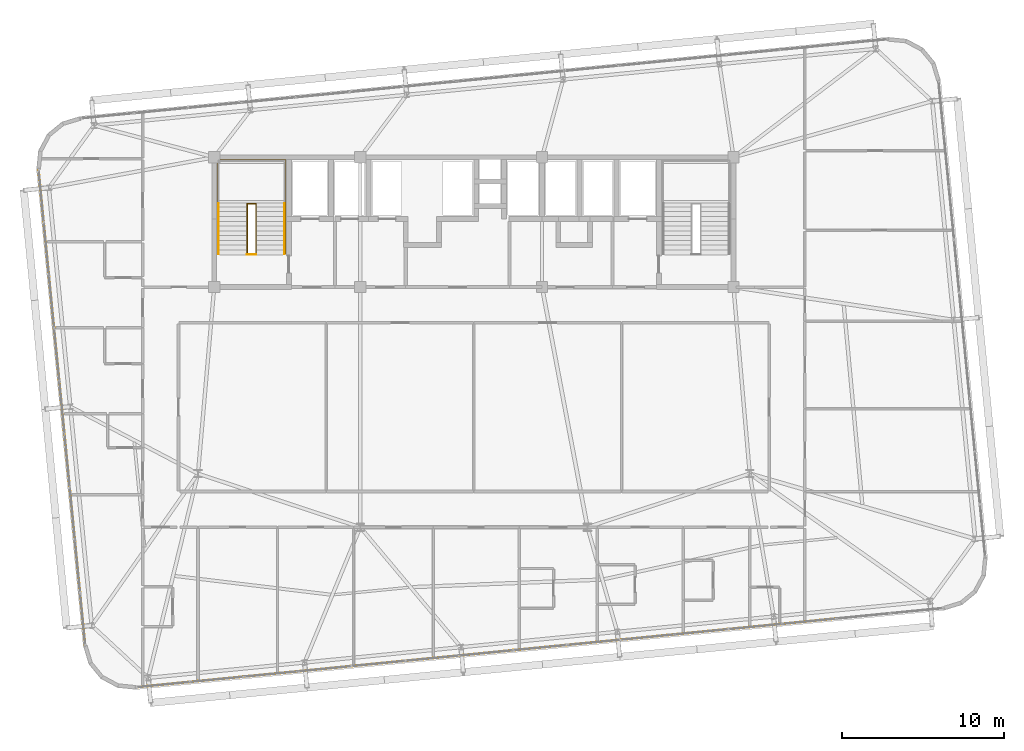
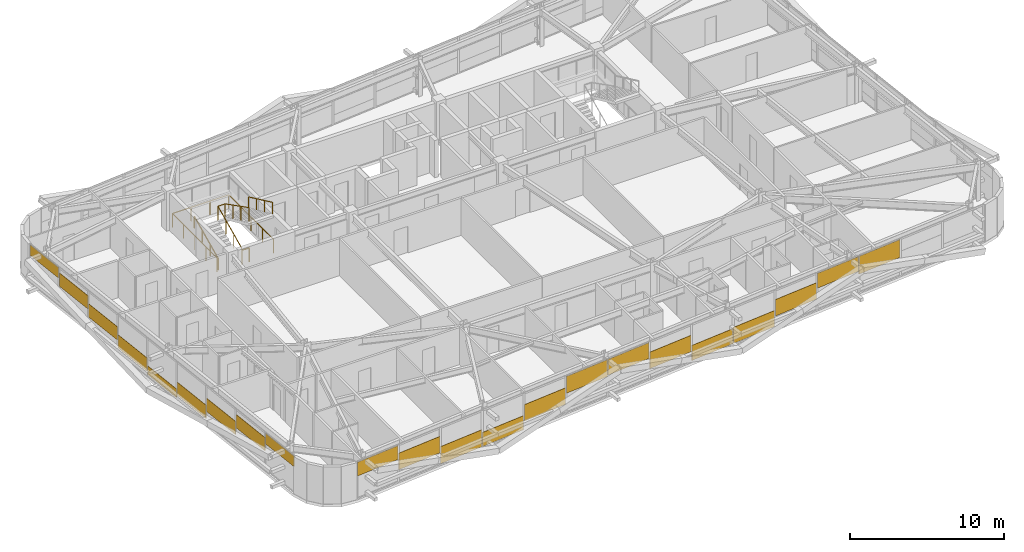
# One storey, part 51 of 53: 22 coverings, 5 railings.
"""IFC4 building model written with IfcOpenShell, lengths in metres."""

from ifc_helpers import new_model, si_unit, direction, frame, origin, origin_2d, place, context, subcontext, project, spatial, rectangle, extrude, source, transform, mapped, material, layer, layer_set, type_object, element, save


model = new_model("IFC4")

# Units and contexts
model_context = context("Model", 3, precision=1e-05, world=origin(), true_north=direction((0.0, 1.0)))
body_context = subcontext(model_context, "Body", "Model", "MODEL_VIEW")
ifc_project = project(units=[si_unit("LENGTHUNIT", "METRE"), si_unit("AREAUNIT", "SQUARE_METRE"), si_unit("VOLUMEUNIT", "CUBIC_METRE"), si_unit("PLANEANGLEUNIT", "RADIAN"), si_unit("MASSUNIT", "GRAM", prefix="KILO")], contexts=[model_context])

# Site, building, storey
site_placement = place(None, origin())
site = spatial("IfcSite", under=ifc_project, at=site_placement, CompositionType="ELEMENT")
building_placement = place(site_placement, origin())
building = spatial("IfcBuilding", under=site, at=building_placement, Name="Taldren Reach Tower", CompositionType="ELEMENT")
storey_placement = place(building_placement, frame((0.0, 0.0, 71.39990234375)))
storey = spatial("IfcBuildingStorey", under=building, at=storey_placement, Name="L21", CompositionType="ELEMENT", Elevation=71.39990234375)

# Railings
ifc_material_1 = material(Name="Steel Gr 350 (C350L0)", Category="steel")
ifc_layer_1 = layer(ifc_material_1, 0.050048828125)
ifc_layer_set_1 = layer_set([ifc_layer_1], Name="Steel Gr 350 (C350L0)")
railing_type_1 = type_object("IfcRailingType", Name="RL-STAIR-GR", PredefinedType="GUARDRAIL", material=ifc_layer_set_1)
railing_1_placement = place(storey_placement, frame((21.030029296875, 26.050048828125, 0.13134765625)))
element("IfcRailing", 1, at=railing_1_placement, inside=storey, type_object=railing_type_1, Name="Stairwell inner guard ST1-L21", PredefinedType="GUARDRAIL", context=body_context, shape_type="SweptSolid", body=[
    extrude(rectangle(XDim=0.047852, YDim=0.047852, at=origin_2d()), frame((0.0, 0.0, 1.09619140625), z_axis=(0.0, 0.905710134349, 0.423897573167), x_axis=(-1.0, 0.0, 0.0)), (0.0, 0.0, 1.0), 3.406005859375),
    extrude(rectangle(XDim=0.047852, YDim=0.047852, at=origin_2d()), frame((0.0, 3.0849609375, 2.5400390625), z_axis=(1.0, 0.0, 0.0), x_axis=(0.0, 1.0, 0.0)), (0.0, 0.0, 1.0), 0.5400390625),
    extrude(rectangle(XDim=0.047852, YDim=0.047852, at=origin_2d()), frame((0.5400390625, 3.0849609375, 2.5400390625), z_axis=(0.0, -0.890645957773, 0.45469745755), x_axis=(1.0, 0.0, 0.0)), (0.0, 0.0, 1.0), 3.463623046875),
    extrude(rectangle(XDim=0.041992, YDim=0.041992, at=origin_2d()), origin(), (0.0, 0.0, 1.0), 1.072021484375),
    extrude(rectangle(XDim=0.041992, YDim=0.041992, at=origin_2d()), frame((0.0, 1.0283203125, 0.481201171875)), (0.0, 0.0, 1.0), 1.072021484375),
    extrude(rectangle(XDim=0.041992, YDim=0.041992, at=origin_2d()), frame((0.0, 2.056640625, 0.962646484375)), (0.0, 0.0, 1.0), 1.072021484375),
    extrude(rectangle(XDim=0.041992, YDim=0.041992, at=origin_2d()), frame((0.0, 3.0849609375, 1.44384765625)), (0.0, 0.0, 1.0), 1.072021484375),
    extrude(rectangle(XDim=0.041992, YDim=0.041992, at=origin_2d()), frame((0.5400390625, 3.0849609375, 1.44384765625)), (0.0, 0.0, 1.0), 1.072021484375),
    extrude(rectangle(XDim=0.041992, YDim=0.041992, at=origin_2d()), frame((0.5400390625, 2.056640625, 1.96875)), (0.0, 0.0, 1.0), 1.072021484375),
    extrude(rectangle(XDim=0.041992, YDim=0.041992, at=origin_2d()), frame((0.5400390625, 1.0283203125, 2.493896484375)), (0.0, 0.0, 1.0), 1.072021484375),
    extrude(rectangle(XDim=0.041992, YDim=0.041992, at=origin_2d()), frame((0.5400390625, 0.0, 3.018798828125)), (0.0, 0.0, 1.0), 1.072021484375),
])
railing_2_placement = place(storey_placement, frame((21.030029296875, 26.010009765625, 0.0)))
element("IfcRailing", 2, at=railing_2_placement, inside=storey, type_object=railing_type_1, Name="Stairwell landing slot guard ST1-L21", PredefinedType="GUARDRAIL", context=body_context, shape_type="SweptSolid", body=[
    extrude(rectangle(XDim=0.047852, YDim=0.047852, at=origin_2d()), frame((0.0, 0.0, 1.09619140625), z_axis=(1.0, 0.0, 0.0), x_axis=(0.0, 1.0, 0.0)), (0.0, 0.0, 1.0), 0.5400390625),
    extrude(rectangle(XDim=0.041992, YDim=0.041992, at=origin_2d()), origin(), (0.0, 0.0, 1.0), 1.072021484375),
    extrude(rectangle(XDim=0.041992, YDim=0.041992, at=origin_2d()), frame((0.5400390625, 0.0, 0.0)), (0.0, 0.0, 1.0), 1.072021484375),
])
railing_3_placement = place(storey_placement, frame((19.18994140625, 26.050048828125, 0.0)))
element("IfcRailing", 3, at=railing_3_placement, inside=storey, type_object=railing_type_1, Name="Stairwell floor opening guard ST1-L21", PredefinedType="GUARDRAIL", context=body_context, shape_type="SweptSolid", body=[
    extrude(rectangle(XDim=0.047852, YDim=0.047852, at=origin_2d()), frame((0.0, 0.0, 1.09619140625), z_axis=(0.0, 1.0, 0.0), x_axis=(-1.0, 0.0, 0.0)), (0.0, 0.0, 1.0), 5.800048828125),
    extrude(rectangle(XDim=0.047852, YDim=0.047852, at=origin_2d()), frame((0.0, 5.800048828125, 1.09619140625), z_axis=(1.0, 0.0, 0.0), x_axis=(0.0, 1.0, 0.0)), (0.0, 0.0, 1.0), 4.219970703125),
    extrude(rectangle(XDim=0.047852, YDim=0.047852, at=origin_2d()), frame((4.219970703125, 5.800048828125, 1.09619140625), z_axis=(0.0, -1.0, 0.0), x_axis=(1.0, 0.0, 0.0)), (0.0, 0.0, 1.0), 5.800048828125),
    extrude(rectangle(XDim=0.041992, YDim=0.041992, at=origin_2d()), origin(), (0.0, 0.0, 1.0), 1.072021484375),
    extrude(rectangle(XDim=0.041992, YDim=0.041992, at=origin_2d()), frame((0.0, 1.449951171875, 0.0)), (0.0, 0.0, 1.0), 1.072021484375),
    extrude(rectangle(XDim=0.041992, YDim=0.041992, at=origin_2d()), frame((0.0, 2.89990234375, 0.0)), (0.0, 0.0, 1.0), 1.072021484375),
    extrude(rectangle(XDim=0.041992, YDim=0.041992, at=origin_2d()), frame((0.0, 4.35009765625, 0.0)), (0.0, 0.0, 1.0), 1.072021484375),
    extrude(rectangle(XDim=0.041992, YDim=0.041992, at=origin_2d()), frame((0.0, 5.800048828125, 0.0)), (0.0, 0.0, 1.0), 1.072021484375),
    extrude(rectangle(XDim=0.041992, YDim=0.041992, at=origin_2d()), frame((1.40673828125, 5.800048828125, 0.0)), (0.0, 0.0, 1.0), 1.072021484375),
    extrude(rectangle(XDim=0.041992, YDim=0.041992, at=origin_2d()), frame((2.813232421875, 5.800048828125, 0.0)), (0.0, 0.0, 1.0), 1.072021484375),
    extrude(rectangle(XDim=0.041992, YDim=0.041992, at=origin_2d()), frame((4.219970703125, 5.800048828125, 0.0)), (0.0, 0.0, 1.0), 1.072021484375),
    extrude(rectangle(XDim=0.041992, YDim=0.041992, at=origin_2d()), frame((4.219970703125, 4.35009765625, 0.0)), (0.0, 0.0, 1.0), 1.072021484375),
    extrude(rectangle(XDim=0.041992, YDim=0.041992, at=origin_2d()), frame((4.219970703125, 2.89990234375, 0.0)), (0.0, 0.0, 1.0), 1.072021484375),
    extrude(rectangle(XDim=0.041992, YDim=0.041992, at=origin_2d()), frame((4.219970703125, 1.449951171875, 0.0)), (0.0, 0.0, 1.0), 1.072021484375),
    extrude(rectangle(XDim=0.041992, YDim=0.041992, at=origin_2d()), frame((4.219970703125, 0.0, 0.0)), (0.0, 0.0, 1.0), 1.072021484375),
])
ifc_material_2 = material(Name="Stainless Steel Gr 316", Category="steel")
ifc_layer_2 = layer(ifc_material_2, 0.048095703125)
ifc_layer_set_2 = layer_set([ifc_layer_2], Name="Stainless Steel Gr 316")
railing_type_2 = type_object("IfcRailingType", Name="RL-STAIR-HR", PredefinedType="HANDRAIL", material=ifc_layer_set_2)
railing_4_placement = place(storey_placement, frame((19.27001953125, 26.050048828125, 0.13134765625)))
element("IfcRailing", 4, at=railing_4_placement, inside=storey, type_object=railing_type_2, Name="Stair flight handrail ST1-L21-1", PredefinedType="HANDRAIL", context=body_context, shape_type="SweptSolid", body=[
    extrude(rectangle(XDim=0.047852, YDim=0.047852, at=origin_2d()), frame((0.0, 0.0, 0.89599609375), z_axis=(0.0, 0.905710134349, 0.423897573167), x_axis=(-1.0, 0.0, 0.0)), (0.0, 0.0, 1.0), 3.406005859375),
    extrude(rectangle(XDim=0.041992, YDim=0.041992, at=origin_2d()), origin(), (0.0, 0.0, 1.0), 0.871826171875),
    extrude(rectangle(XDim=0.041992, YDim=0.041992, at=origin_2d()), frame((0.0, 1.0283203125, 0.481201171875)), (0.0, 0.0, 1.0), 0.871826171875),
    extrude(rectangle(XDim=0.041992, YDim=0.041992, at=origin_2d()), frame((0.0, 2.056640625, 0.962646484375)), (0.0, 0.0, 1.0), 0.871826171875),
    extrude(rectangle(XDim=0.041992, YDim=0.041992, at=origin_2d()), frame((0.0, 3.0849609375, 1.44384765625)), (0.0, 0.0, 1.0), 0.871826171875),
])
railing_5_placement = place(storey_placement, frame((23.330078125, 29.135009765625, 1.706298828125)))
element("IfcRailing", 5, at=railing_5_placement, inside=storey, type_object=railing_type_2, Name="Stair flight handrail ST1-L21-2", PredefinedType="HANDRAIL", context=body_context, shape_type="SweptSolid", body=[
    extrude(rectangle(XDim=0.047852, YDim=0.047852, at=origin_2d()), frame((0.0, 0.0, 0.89599609375), z_axis=(0.0, -0.905710134349, 0.423897573167), x_axis=(1.0, 0.0, 0.0)), (0.0, 0.0, 1.0), 3.406005859375),
    extrude(rectangle(XDim=0.041992, YDim=0.041992, at=origin_2d()), origin(), (0.0, 0.0, 1.0), 0.871826171875),
    extrude(rectangle(XDim=0.041992, YDim=0.041992, at=origin_2d()), frame((0.0, -1.0283203125, 0.481201171875)), (0.0, 0.0, 1.0), 0.871826171875),
    extrude(rectangle(XDim=0.041992, YDim=0.041992, at=origin_2d()), frame((0.0, -2.056640625, 0.962646484375)), (0.0, 0.0, 1.0), 0.871826171875),
    extrude(rectangle(XDim=0.041992, YDim=0.041992, at=origin_2d()), frame((0.0, -3.0849609375, 1.44384765625)), (0.0, 0.0, 1.0), 0.871826171875),
])

# Coverings
ifc_material_3 = material(Name="Pale Champagne Fluoropolymer Aluminium Spandrel Cladding", Category="aluminium")
ifc_layer_3 = layer(ifc_material_3, 0.0439453125)
ifc_layer_set_3 = layer_set([ifc_layer_3], Name="Pale Champagne Fluoropolymer Aluminium Spandrel Cladding")
covering_type = type_object("IfcCoveringType", Name="CV-CLAD-044", PredefinedType="CLADDING", material=ifc_layer_set_3)
shared_shape_1 = source(origin(), body_context, "Body", "SweptSolid", [
    extrude(rectangle(XDim=3.23583984375, YDim=0.0439453125, at=origin_2d()), origin(), (0.0, 0.0, 1.0), 1.094970703125),
])
covering_1_placement = place(storey_placement, frame((15.862548828125, -0.501220703125, 1.7802734375), z_axis=(0.0, 0.0, 1.0), x_axis=(0.995227390247, 0.097582999046, 0.0)))
element("IfcCovering", 6, at=covering_1_placement, inside=storey, type_object=covering_type, Name="Diagrid closure cladding strip CW-3 panel 1.1 1", PredefinedType="CLADDING", context=body_context, shape_type="MappedRepresentation", body=[
    mapped(shared_shape_1, transform((0.0, 0.0, 0.0), scale=1.0)),
])
shared_shape_2 = source(origin(), body_context, "Body", "SweptSolid", [
    extrude(rectangle(XDim=3.268310546875, YDim=0.0439453125, at=origin_2d()), origin(), (0.0, 0.0, 1.0), 1.3046875),
])
for number, where, z_axis, x_axis, name in (
    (7, (19.163818359375, -0.177734375, 0.943359375), (0.0, 0.0, 1.0), (0.995227390247, 0.097582999046, 0.0), "Diagrid closure cladding strip CW-3 panel 2.1 1"),
    (8, (29.1162109375, 0.798095703125, 0.702392578125), (0.0, 0.0, 1.0), (0.995227390247, 0.097582999046, 0.0), "Diagrid closure cladding strip CW-3 panel 5.1 1"),
    (9, (39.068359375, 1.77392578125, 0.78271484375), (0.0, 0.0, 1.0), (0.995227390247, 0.097582999046, 0.0), "Diagrid closure cladding strip CW-3 panel 8.1 1"),
    (10, (49.020751953125, 2.749755859375, 0.863037109375), (0.0, 0.0, 1.0), (0.995227390247, 0.097582999046, 0.0), "Diagrid closure cladding strip CW-3 panel 11.1 1"),
):
    element("IfcCovering", number, at=place(storey_placement, frame(where, z_axis=z_axis, x_axis=x_axis)), inside=storey, type_object=covering_type, Name=name, PredefinedType="CLADDING", context=body_context, shape_type="MappedRepresentation", body=[
        mapped(shared_shape_2, transform((0.0, 0.0, 0.0), scale=1.0)),
    ])
shared_shape_3 = source(origin(), body_context, "Body", "SweptSolid", [
    extrude(rectangle(XDim=3.268310546875, YDim=0.0439453125, at=origin_2d()), origin(), (0.0, 0.0, 1.0), 1.356201171875),
])
covering_2_placement = place(storey_placement, frame((22.481201171875, 0.147705078125, 0.05517578125), z_axis=(0.0, 0.0, 1.0), x_axis=(0.995227390247, 0.097582999046, 0.0)))
element("IfcCovering", 11, at=covering_2_placement, inside=storey, type_object=covering_type, Name="Diagrid closure cladding strip CW-3 panel 3.1 1", PredefinedType="CLADDING", context=body_context, shape_type="MappedRepresentation", body=[
    mapped(shared_shape_3, transform((0.0, 0.0, 0.0), scale=1.0)),
])
shared_shape_4 = source(origin(), body_context, "Body", "SweptSolid", [
    extrude(rectangle(XDim=3.268310546875, YDim=0.0439453125, at=origin_2d()), origin(), (0.0, 0.0, 1.0), 1.115234375),
])
covering_3_placement = place(storey_placement, frame((25.798828125, 0.472900390625, 0.05517578125), z_axis=(0.0, 0.0, 1.0), x_axis=(0.995227390247, 0.097582999046, 0.0)))
element("IfcCovering", 12, at=covering_3_placement, inside=storey, type_object=covering_type, Name="Diagrid closure cladding strip CW-3 panel 4.1 1", PredefinedType="CLADDING", context=body_context, shape_type="MappedRepresentation", body=[
    mapped(shared_shape_4, transform((0.0, 0.0, 0.0), scale=1.0)),
])
shared_shape_5 = source(origin(), body_context, "Body", "SweptSolid", [
    extrude(rectangle(XDim=3.268310546875, YDim=0.0439453125, at=origin_2d()), origin(), (0.0, 0.0, 1.0), 1.3359375),
])
covering_4_placement = place(storey_placement, frame((32.43359375, 1.12353515625, 1.5390625), z_axis=(0.0, 0.0, 1.0), x_axis=(0.995227390247, 0.097582999046, 0.0)))
element("IfcCovering", 13, at=covering_4_placement, inside=storey, type_object=covering_type, Name="Diagrid closure cladding strip CW-3 panel 6.1 1", PredefinedType="CLADDING", context=body_context, shape_type="MappedRepresentation", body=[
    mapped(shared_shape_5, transform((0.0, 0.0, 0.0), scale=1.0)),
])
shared_shape_6 = source(origin(), body_context, "Body", "SweptSolid", [
    extrude(rectangle(XDim=3.268310546875, YDim=0.0439453125, at=origin_2d()), origin(), (0.0, 0.0, 1.0), 1.255615234375),
])
covering_5_placement = place(storey_placement, frame((35.7509765625, 1.44873046875, 1.61962890625), z_axis=(0.0, 0.0, 1.0), x_axis=(0.995227390247, 0.097582999046, 0.0)))
element("IfcCovering", 14, at=covering_5_placement, inside=storey, type_object=covering_type, Name="Diagrid closure cladding strip CW-3 panel 7.1 1", PredefinedType="CLADDING", context=body_context, shape_type="MappedRepresentation", body=[
    mapped(shared_shape_6, transform((0.0, 0.0, 0.0), scale=1.0)),
])
shared_shape_7 = source(origin(), body_context, "Body", "SweptSolid", [
    extrude(rectangle(XDim=3.268310546875, YDim=0.0439453125, at=origin_2d()), origin(), (0.0, 0.0, 1.0), 1.195556640625),
])
covering_6_placement = place(storey_placement, frame((42.3857421875, 2.099365234375, 0.05517578125), z_axis=(0.0, 0.0, 1.0), x_axis=(0.995227390247, 0.097582999046, 0.0)))
element("IfcCovering", 15, at=covering_6_placement, inside=storey, type_object=covering_type, Name="Diagrid closure cladding strip CW-3 panel 9.1 1", PredefinedType="CLADDING", context=body_context, shape_type="MappedRepresentation", body=[
    mapped(shared_shape_7, transform((0.0, 0.0, 0.0), scale=1.0)),
])
shared_shape_8 = source(origin(), body_context, "Body", "SweptSolid", [
    extrude(rectangle(XDim=3.268310546875, YDim=0.0439453125, at=origin_2d()), origin(), (0.0, 0.0, 1.0), 1.27587890625),
])
covering_7_placement = place(storey_placement, frame((45.703369140625, 2.424560546875, 0.05517578125), z_axis=(0.0, 0.0, 1.0), x_axis=(0.995227390247, 0.097582999046, 0.0)))
element("IfcCovering", 16, at=covering_7_placement, inside=storey, type_object=covering_type, Name="Diagrid closure cladding strip CW-3 panel 10.1 1", PredefinedType="CLADDING", context=body_context, shape_type="MappedRepresentation", body=[
    mapped(shared_shape_8, transform((0.0, 0.0, 0.0), scale=1.0)),
])
shared_shape_9 = source(origin(), body_context, "Body", "SweptSolid", [
    extrude(rectangle(XDim=3.268310546875, YDim=0.0439453125, at=origin_2d()), origin(), (0.0, 0.0, 1.0), 1.17529296875),
])
covering_8_placement = place(storey_placement, frame((52.338134765625, 3.0751953125, 1.69970703125), z_axis=(0.0, 0.0, 1.0), x_axis=(0.995227390247, 0.097582999046, 0.0)))
element("IfcCovering", 17, at=covering_8_placement, inside=storey, type_object=covering_type, Name="Diagrid closure cladding strip CW-3 panel 12.1 1", PredefinedType="CLADDING", context=body_context, shape_type="MappedRepresentation", body=[
    mapped(shared_shape_9, transform((0.0, 0.0, 0.0), scale=1.0)),
])
shared_shape_10 = source(origin(), body_context, "Body", "SweptSolid", [
    extrude(rectangle(XDim=3.268310546875, YDim=0.0439453125, at=origin_2d()), origin(), (0.0, 0.0, 1.0), 1.416259765625),
])
covering_9_placement = place(storey_placement, frame((55.655517578125, 3.400390625, 1.458984375), z_axis=(0.0, 0.0, 1.0), x_axis=(0.995227390247, 0.097582999046, 0.0)))
element("IfcCovering", 18, at=covering_9_placement, inside=storey, type_object=covering_type, Name="Diagrid closure cladding strip CW-3 panel 13.1 1", PredefinedType="CLADDING", context=body_context, shape_type="MappedRepresentation", body=[
    mapped(shared_shape_10, transform((0.0, 0.0, 0.0), scale=1.0)),
])
shared_shape_11 = source(origin(), body_context, "Body", "SweptSolid", [
    extrude(rectangle(XDim=3.18017578125, YDim=0.0439453125, at=origin_2d()), origin(), (0.0, 0.0, 1.0), 0.83056640625),
])
for number, where, z_axis, x_axis, name in (
    (19, (8.34521484375, 29.61376953125, 2.044677734375), (0.0, 0.0, 1.0), (0.09758274098, -0.99522741555, 0.0), "Diagrid closure cladding strip CW-3 panel 1.1 1"),
    (20, (10.90087890625, 3.549072265625, 2.044677734375), (0.0, 0.0, 1.0), (0.09758274098, -0.99522741555, 0.0), "Diagrid closure cladding strip CW-3 panel 9.1 1"),
):
    element("IfcCovering", number, at=place(storey_placement, frame(where, z_axis=z_axis, x_axis=x_axis)), inside=storey, type_object=covering_type, Name=name, PredefinedType="CLADDING", context=body_context, shape_type="MappedRepresentation", body=[
        mapped(shared_shape_11, transform((0.0, 0.0, 0.0), scale=1.0)),
    ])
shared_shape_12 = source(origin(), body_context, "Body", "SweptSolid", [
    extrude(rectangle(XDim=3.212890625, YDim=0.0439453125, at=origin_2d()), origin(), (0.0, 0.0, 1.0), 1.053466796875),
])
for number, where, z_axis, x_axis, name in (
    (21, (8.663330078125, 26.36767578125, 1.45703125), (0.0, 0.0, 1.0), (0.09758274098, -0.99522741555, 0.0), "Diagrid closure cladding strip CW-3 panel 2.1 1"),
    (22, (8.983154296875, 23.105712890625, 0.869140625), (0.0, 0.0, 1.0), (0.09758274098, -0.99522741555, 0.0), "Diagrid closure cladding strip CW-3 panel 3.1 1"),
    (23, (9.30322265625, 19.843505859375, 0.28125), (0.0, 0.0, 1.0), (0.09758274098, -0.99522741555, 0.0), "Diagrid closure cladding strip CW-3 panel 4.1 1"),
    (24, (9.94287109375, 13.319091796875, 0.28125), (0.0, 0.0, 1.0), (0.09758274098, -0.99522741555, 0.0), "Diagrid closure cladding strip CW-3 panel 6.1 1"),
    (25, (10.2626953125, 10.05712890625, 0.869140625), (0.0, 0.0, 1.0), (0.09758274098, -0.99522741555, 0.0), "Diagrid closure cladding strip CW-3 panel 7.1 1"),
    (26, (10.58251953125, 6.794921875, 1.45703125), (0.0, 0.0, 1.0), (0.09758274098, -0.99522741555, 0.0), "Diagrid closure cladding strip CW-3 panel 8.1 1"),
):
    element("IfcCovering", number, at=place(storey_placement, frame(where, z_axis=z_axis, x_axis=x_axis)), inside=storey, type_object=covering_type, Name=name, PredefinedType="CLADDING", context=body_context, shape_type="MappedRepresentation", body=[
        mapped(shared_shape_12, transform((0.0, 0.0, 0.0), scale=1.0)),
    ])
shared_shape_13 = source(origin(), body_context, "Body", "SweptSolid", [
    extrude(rectangle(XDim=3.212890625, YDim=0.0439453125, at=origin_2d()), origin(), (0.0, 0.0, 1.0), 0.691650390625),
])
covering_10_placement = place(storey_placement, frame((9.623046875, 16.581298828125, 0.05517578125), z_axis=(0.0, 0.0, 1.0), x_axis=(0.09758274098, -0.99522741555, 0.0)))
element("IfcCovering", 27, at=covering_10_placement, inside=storey, type_object=covering_type, Name="Diagrid closure cladding strip CW-3 panel 5.1 1", PredefinedType="CLADDING", context=body_context, shape_type="MappedRepresentation", body=[
    mapped(shared_shape_13, transform((0.0, 0.0, 0.0), scale=1.0)),
])

save(model, "model.ifc")
